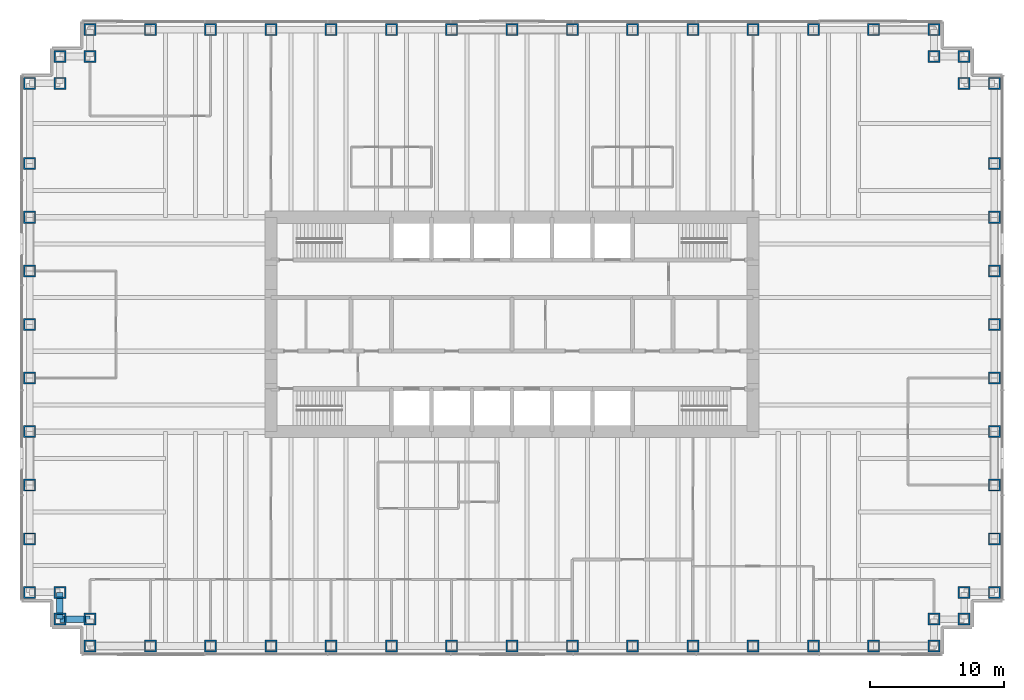
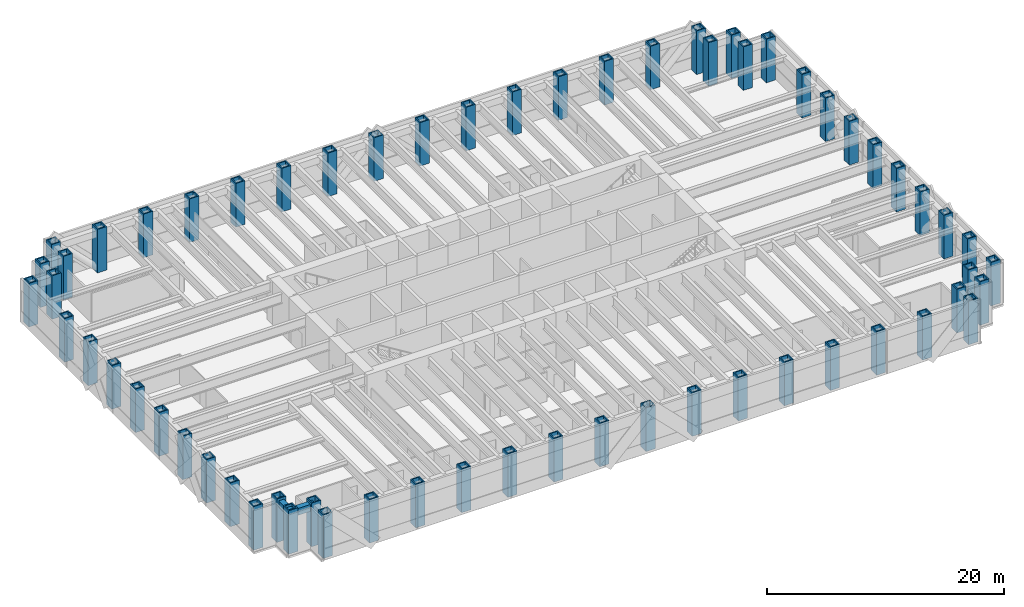
# One storey, part 1 of 13: 62 columns, 2 beams.
"""IFC4 building model written with IfcOpenShell, lengths in metres."""

from ifc_helpers import new_model, si_unit, direction, frame, origin, origin_2d, place, context, subcontext, project, spatial, hollow_rectangle, extrude, material, material_profile, profile_set, type_object, element, save


model = new_model("IFC4")

# Units and contexts
model_context = context("Model", 3, precision=1e-05, world=origin(), true_north=direction((0.0, 1.0)))
body_context = subcontext(model_context, "Body", "Model", "MODEL_VIEW")
ifc_project = project(units=[si_unit("LENGTHUNIT", "METRE"), si_unit("AREAUNIT", "SQUARE_METRE"), si_unit("VOLUMEUNIT", "CUBIC_METRE"), si_unit("PLANEANGLEUNIT", "RADIAN"), si_unit("MASSUNIT", "GRAM", prefix="KILO")], contexts=[model_context])

# Site, building, storey
site_placement = place(None, origin())
site = spatial("IfcSite", under=ifc_project, at=site_placement, CompositionType="ELEMENT")
building_placement = place(site_placement, origin())
building = spatial("IfcBuilding", under=site, at=building_placement, Name="Rheinbord Bourse Tower", CompositionType="ELEMENT")
storey_placement = place(building_placement, frame((0.0, 0.0, 90.5)))
storey = spatial("IfcBuildingStorey", under=building, at=storey_placement, Name="L19", CompositionType="ELEMENT", Elevation=90.5)

# Columns
ifc_material_1 = material(Name="Steel S460M", Category="steel")
ifc_material_profile_1 = material_profile(ifc_material_1, hollow_rectangle(XDim=0.89990234375, YDim=0.89990234375, WallThickness=0.110107421875, at=origin_2d()), Name="BOX 900x900x110")
ifc_profile_set_1 = profile_set([ifc_material_profile_1], Name="Steel S460M")
column_type = type_object("IfcColumnType", Name="TUBE COLUMN BOX 900x900x110", PredefinedType="COLUMN", material=ifc_profile_set_1)
for number, where, z_axis, x_axis, name in (
    (1, (4.5, 0.0, 0.0), (0.0, 0.0, 1.0), (0.0, 1.0, 0.0), "Column SW-E L19"),
    (2, (9.0, 0.0, 0.0), (0.0, 0.0, 1.0), (0.0, 1.0, 0.0), "Column S-9 L19"),
    (3, (13.5, 0.0, 0.0), (0.0, 0.0, 1.0), (0.0, 1.0, 0.0), "Column S-13.5 L19"),
    (4, (18.0, 0.0, 0.0), (0.0, 0.0, 1.0), (0.0, 1.0, 0.0), "Column S-18 L19"),
    (5, (22.5, 0.0, 0.0), (0.0, 0.0, 1.0), (0.0, 1.0, 0.0), "Column S-22.5 L19"),
    (6, (27.0, 0.0, 0.0), (0.0, 0.0, 1.0), (0.0, 1.0, 0.0), "Column S-27 L19"),
    (7, (31.5, 0.0, 0.0), (0.0, 0.0, 1.0), (0.0, 1.0, 0.0), "Column S-31.5 L19"),
    (8, (36.0, 0.0, 0.0), (0.0, 0.0, 1.0), (0.0, 1.0, 0.0), "Column S-36 L19"),
    (9, (40.5, 0.0, 0.0), (0.0, 0.0, 1.0), (0.0, 1.0, 0.0), "Column S-40.5 L19"),
    (10, (45.0, 0.0, 0.0), (0.0, 0.0, 1.0), (0.0, 1.0, 0.0), "Column S-45 L19"),
    (11, (49.5, 0.0, 0.0), (0.0, 0.0, 1.0), (0.0, 1.0, 0.0), "Column S-49.5 L19"),
    (12, (54.0, 0.0, 0.0), (0.0, 0.0, 1.0), (0.0, 1.0, 0.0), "Column S-54 L19"),
    (13, (58.5, 0.0, 0.0), (0.0, 0.0, 1.0), (0.0, 1.0, 0.0), "Column S-58.5 L19"),
    (14, (63.0, 0.0, 0.0), (0.0, 0.0, 1.0), (0.0, 1.0, 0.0), "Column S-63 L19"),
    (15, (67.5, 0.0, 0.0), (0.0, 0.0, 1.0), (0.0, 1.0, 0.0), "Column SE-E L19"),
    (16, (67.5, 2.0, 0.0), (0.0, 0.0, 1.0), (0.0, 1.0, 0.0), "Column SE-D L19"),
    (17, (69.75, 2.0, 0.0), (0.0, 0.0, 1.0), (1.0, 0.0, 0.0), "Column SE-C L19"),
    (18, (69.75, 4.0, 0.0), (0.0, 0.0, 1.0), (1.0, 0.0, 0.0), "Column SE-B L19"),
    (19, (72.0, 4.0, 0.0), (0.0, 0.0, 1.0), (1.0, 0.0, 0.0), "Column SE-A L19"),
    (20, (72.0, 8.0, 0.0), (0.0, 0.0, 1.0), (1.0, 0.0, 0.0), "Column E-8 L19"),
    (21, (72.0, 12.0, 0.0), (0.0, 0.0, 1.0), (1.0, 0.0, 0.0), "Column E-12 L19"),
    (22, (72.0, 16.0, 0.0), (0.0, 0.0, 1.0), (1.0, 0.0, 0.0), "Column E-16 L19"),
    (23, (72.0, 20.0, 0.0), (0.0, 0.0, 1.0), (1.0, 0.0, 0.0), "Column E-20 L19"),
    (24, (72.0, 24.0, 0.0), (0.0, 0.0, 1.0), (1.0, 0.0, 0.0), "Column E-24 L19"),
    (25, (72.0, 28.0, 0.0), (0.0, 0.0, 1.0), (1.0, 0.0, 0.0), "Column E-28 L19"),
    (26, (72.0, 32.0, 0.0), (0.0, 0.0, 1.0), (1.0, 0.0, 0.0), "Column E-32 L19"),
    (27, (72.0, 36.0, 0.0), (0.0, 0.0, 1.0), (1.0, 0.0, 0.0), "Column E-36 L19"),
    (28, (72.0, 42.0, 0.0), (0.0, 0.0, 1.0), (1.0, 0.0, 0.0), "Column NE-A L19"),
    (29, (69.75, 42.0, 0.0), (0.0, 0.0, 1.0), (1.0, 0.0, 0.0), "Column NE-B L19"),
    (30, (69.75, 44.0, 0.0), (0.0, 0.0, 1.0), (1.0, 0.0, 0.0), "Column NE-C L19"),
    (31, (67.5, 44.0, 0.0), (0.0, 0.0, 1.0), (0.0, 1.0, 0.0), "Column NE-D L19"),
    (32, (67.5, 46.0, 0.0), (0.0, 0.0, 1.0), (0.0, 1.0, 0.0), "Column NE-E L19"),
    (33, (63.0, 46.0, 0.0), (0.0, 0.0, 1.0), (0.0, 1.0, 0.0), "Column N-63 L19"),
    (34, (58.5, 46.0, 0.0), (0.0, 0.0, 1.0), (0.0, 1.0, 0.0), "Column N-58.5 L19"),
    (35, (54.0, 46.0, 0.0), (0.0, 0.0, 1.0), (0.0, 1.0, 0.0), "Column N-54 L19"),
    (36, (49.5, 46.0, 0.0), (0.0, 0.0, 1.0), (0.0, 1.0, 0.0), "Column N-49.5 L19"),
    (37, (45.0, 46.0, 0.0), (0.0, 0.0, 1.0), (0.0, 1.0, 0.0), "Column N-45 L19"),
    (38, (40.5, 46.0, 0.0), (0.0, 0.0, 1.0), (0.0, 1.0, 0.0), "Column N-40.5 L19"),
    (39, (36.0, 46.0, 0.0), (0.0, 0.0, 1.0), (0.0, 1.0, 0.0), "Column N-36 L19"),
    (40, (31.5, 46.0, 0.0), (0.0, 0.0, 1.0), (0.0, 1.0, 0.0), "Column N-31.5 L19"),
    (41, (27.0, 46.0, 0.0), (0.0, 0.0, 1.0), (0.0, 1.0, 0.0), "Column N-27 L19"),
    (42, (22.5, 46.0, 0.0), (0.0, 0.0, 1.0), (0.0, 1.0, 0.0), "Column N-22.5 L19"),
    (43, (18.0, 46.0, 0.0), (0.0, 0.0, 1.0), (0.0, 1.0, 0.0), "Column N-18 L19"),
    (44, (13.5, 46.0, 0.0), (0.0, 0.0, 1.0), (0.0, 1.0, 0.0), "Column N-13.5 L19"),
    (45, (9.0, 46.0, 0.0), (0.0, 0.0, 1.0), (0.0, 1.0, 0.0), "Column N-9 L19"),
    (46, (4.5, 46.0, 0.0), (0.0, 0.0, 1.0), (0.0, 1.0, 0.0), "Column NW-E L19"),
    (47, (4.5, 44.0, 0.0), (0.0, 0.0, 1.0), (0.0, 1.0, 0.0), "Column NW-D L19"),
    (48, (2.25, 44.0, 0.0), (0.0, 0.0, 1.0), (1.0, 0.0, 0.0), "Column NW-C L19"),
    (49, (2.25, 42.0, 0.0), (0.0, 0.0, 1.0), (1.0, 0.0, 0.0), "Column NW-B L19"),
    (50, (0.0, 42.0, 0.0), (0.0, 0.0, 1.0), (1.0, 0.0, 0.0), "Column NW-A L19"),
    (51, (0.0, 36.0, 0.0), (0.0, 0.0, 1.0), (1.0, 0.0, 0.0), "Column W-36 L19"),
    (52, (0.0, 32.0, 0.0), (0.0, 0.0, 1.0), (1.0, 0.0, 0.0), "Column W-32 L19"),
    (53, (0.0, 28.0, 0.0), (0.0, 0.0, 1.0), (1.0, 0.0, 0.0), "Column W-28 L19"),
    (54, (0.0, 24.0, 0.0), (0.0, 0.0, 1.0), (1.0, 0.0, 0.0), "Column W-24 L19"),
    (55, (0.0, 20.0, 0.0), (0.0, 0.0, 1.0), (1.0, 0.0, 0.0), "Column W-20 L19"),
    (56, (0.0, 16.0, 0.0), (0.0, 0.0, 1.0), (1.0, 0.0, 0.0), "Column W-16 L19"),
    (57, (0.0, 12.0, 0.0), (0.0, 0.0, 1.0), (1.0, 0.0, 0.0), "Column W-12 L19"),
    (58, (0.0, 8.0, 0.0), (0.0, 0.0, 1.0), (1.0, 0.0, 0.0), "Column W-8 L19"),
    (59, (0.0, 4.0, 0.0), (0.0, 0.0, 1.0), (1.0, 0.0, 0.0), "Column SW-A L19"),
    (60, (2.25, 4.0, 0.0), (0.0, 0.0, 1.0), (1.0, 0.0, 0.0), "Column SW-B L19"),
    (61, (2.25, 2.0, 0.0), (0.0, 0.0, 1.0), (1.0, 0.0, 0.0), "Column SW-C L19"),
    (62, (4.5, 2.0, 0.0), (0.0, 0.0, 1.0), (0.0, 1.0, 0.0), "Column SW-D L19"),
):
    element("IfcColumn", number, at=place(storey_placement, frame(where, z_axis=z_axis, x_axis=x_axis)), inside=storey, type_object=column_type, Name=name, PredefinedType="COLUMN", context=body_context, shape_type="SweptSolid", body=[
        extrude(hollow_rectangle(XDim=0.89990234375, YDim=0.89990234375, WallThickness=0.110107421875, at=origin_2d()), origin(), (0.0, 0.0, 1.0), 4.5),
    ])

# Beams
ifc_material_2 = material(Name="Steel S460M", Category="steel")
ifc_material_profile_2 = material_profile(ifc_material_2, hollow_rectangle(XDim=0.5, YDim=0.699951171875, WallThickness=0.0400390625, at=origin_2d()), Name="BOX 700x500x40")
ifc_profile_set_2 = profile_set([ifc_material_profile_2], Name="Steel S460M")
beam_type = type_object("IfcBeamType", Name="BELT CHORD BOX 700x500x40", PredefinedType="SPANDREL", material=ifc_profile_set_2)
beam_1_placement = place(storey_placement, frame((2.25, 4.0, 3.89990234375), z_axis=(0.0, -1.0, 0.0), x_axis=(1.0, 0.0, 0.0)))
element("IfcBeam", 63, at=beam_1_placement, inside=storey, type_object=beam_type, Name="Spandrel SW-B-SW-C under L20", PredefinedType="SPANDREL", context=body_context, shape_type="SweptSolid", body=[
    extrude(hollow_rectangle(XDim=0.5, YDim=0.699951171875, WallThickness=0.0400390625, at=origin_2d()), origin(), (0.0, 0.0, 1.0), 2.0),
])
beam_2_placement = place(storey_placement, frame((2.25, 2.0, 3.89990234375), z_axis=(1.0, 0.0, 0.0), x_axis=(0.0, 1.0, 0.0)))
element("IfcBeam", 64, at=beam_2_placement, inside=storey, type_object=beam_type, Name="Spandrel SW-C-SW-D under L20", PredefinedType="SPANDREL", context=body_context, shape_type="SweptSolid", body=[
    extrude(hollow_rectangle(XDim=0.5, YDim=0.699951171875, WallThickness=0.0400390625, at=origin_2d()), origin(), (0.0, 0.0, 1.0), 2.25),
])

save(model, "model.ifc")
